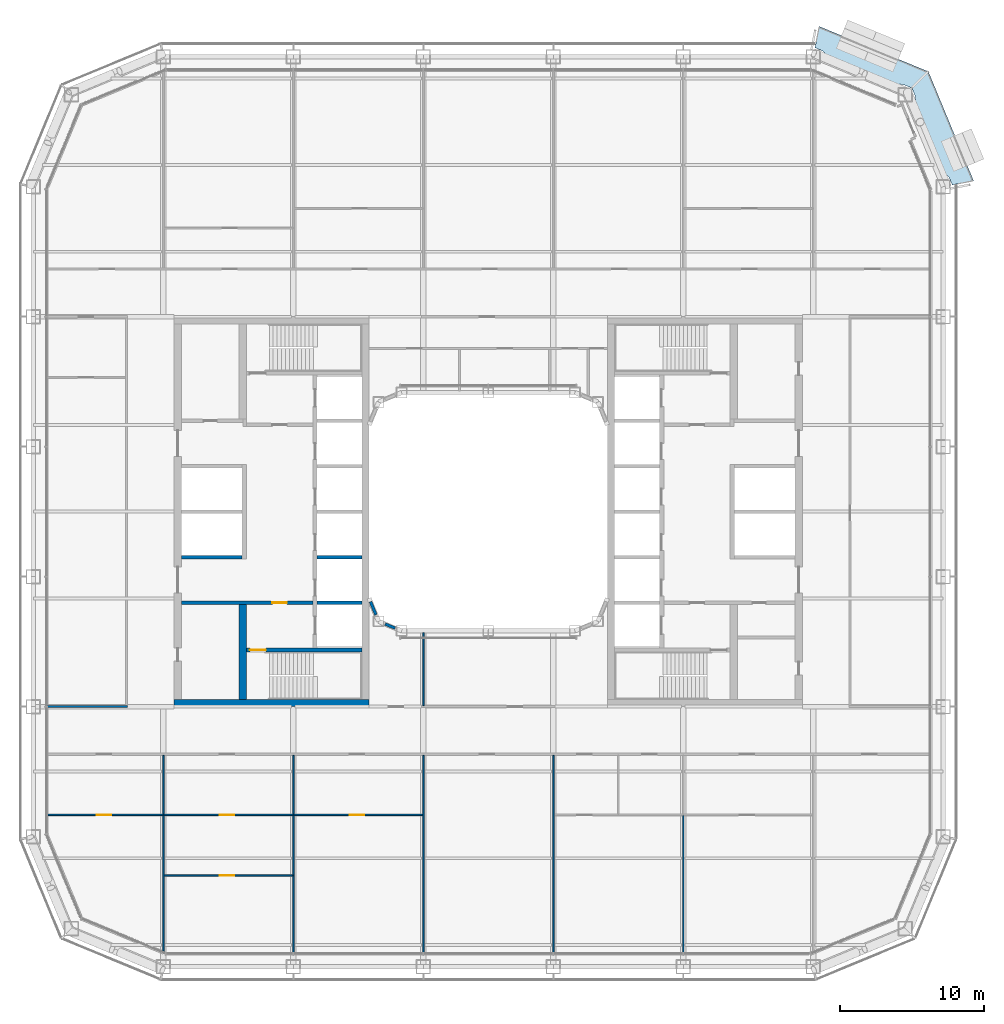
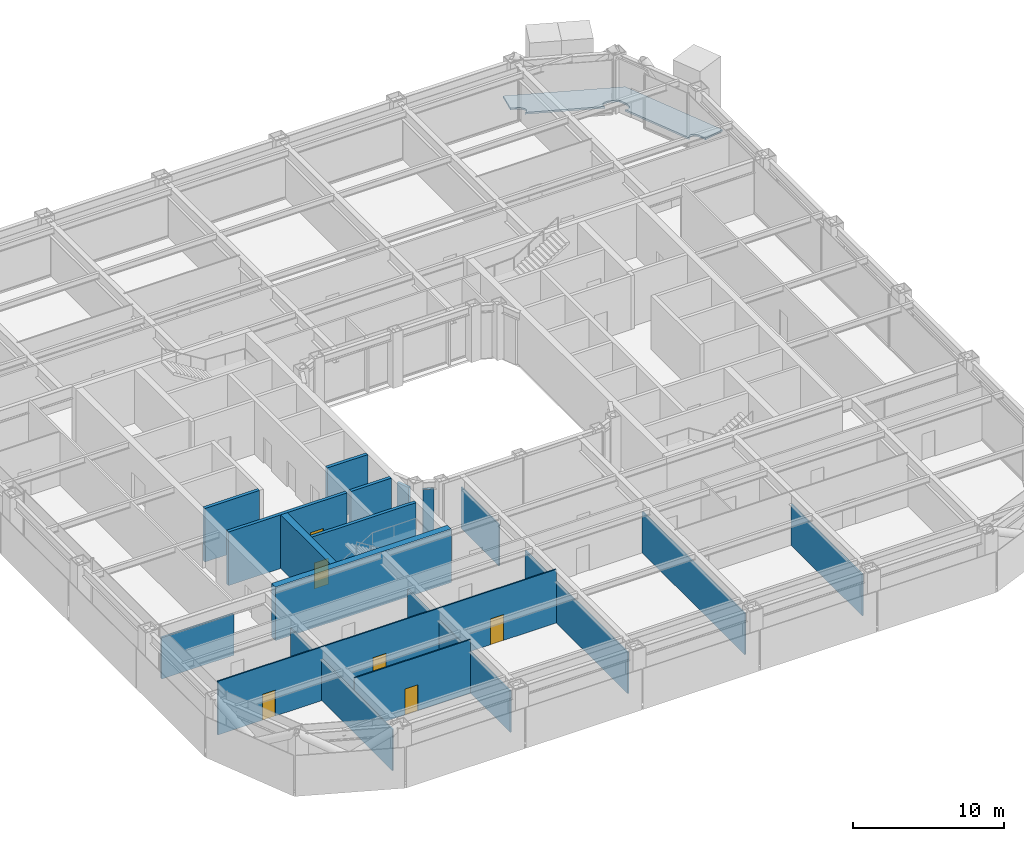
# One storey, part 12 of 30: 20 walls, 6 doors, 1 slab, 6 openings.
"""IFC4 building model written with IfcOpenShell, lengths in metres."""

from ifc_helpers import new_model, si_unit, direction, frame, frame_2d, origin, place, context, subcontext, project, spatial, polyline, rectangle, outline, extrude, material, layer, layer_set, type_object, element, fill, save


model = new_model("IFC4")

# Units and contexts
model_context = context("Model", 3, precision=1e-05, world=origin(), true_north=direction((0.0, 1.0)))
body_context = subcontext(model_context, "Body", "Model", "MODEL_VIEW")
ifc_project = project(units=[si_unit("LENGTHUNIT", "METRE"), si_unit("AREAUNIT", "SQUARE_METRE"), si_unit("VOLUMEUNIT", "CUBIC_METRE"), si_unit("PLANEANGLEUNIT", "RADIAN"), si_unit("MASSUNIT", "GRAM", prefix="KILO")], contexts=[model_context])

# Site, building, storey
site_placement = place(None, origin())
site = spatial("IfcSite", under=ifc_project, at=site_placement, CompositionType="ELEMENT")
building_placement = place(site_placement, origin())
building = spatial("IfcBuilding", under=site, at=building_placement, Name="Siwar Civic Tower", CompositionType="ELEMENT")
storey_placement = place(building_placement, frame((0.0, 0.0, 80.699951171875)))
storey = spatial("IfcBuildingStorey", under=building, at=storey_placement, Name="L17", CompositionType="ELEMENT", Elevation=80.699951171875)

# Slab
ifc_material_1 = material(Name="Concrete C40/50", Category="concrete")
ifc_layer_1 = layer(ifc_material_1, 0.14990234375)
ifc_layer_set_1 = layer_set([ifc_layer_1], Name="Concrete C40/50")
slab_type = type_object("IfcSlabType", Name="ENV-BALCONY DECK 150", PredefinedType="FLOOR", material=ifc_layer_set_1)
slab_placement = place(storey_placement, frame((0.0, 0.0, -0.1494140625)))
element("IfcSlab", 1, at=slab_placement, inside=storey, type_object=slab_type, Name="Tree balcony deck NE", PredefinedType="FLOOR", context=body_context, shape_type="SweptSolid", body=[
    extrude(outline(polyline([(29.38916015625, 29.19189453125), (29.3916015625, 29.186767578125), (29.3916015625, 29.186767578125), (29.39794921875, 29.17138671875), (29.40771484375, 29.14794921875), (29.498291015625, 28.9306640625), (29.514404296875, 28.891845703125), (29.517578125, 28.884033203125), (29.5185546875, 28.881591796875), (29.5439453125, 28.814208984375), (29.545654296875, 28.80908203125), (29.56591796875, 28.739990234375), (29.567138671875, 28.73486328125), (29.58251953125, 28.66455078125), (29.583984375, 28.6572265625), (29.591064453125, 28.59375), (29.59130859375, 28.59130859375), (29.59716796875, 28.51953125), (29.597412109375, 28.51318359375), (29.59716796875, 28.506591796875), (29.592041015625, 28.45068359375), (29.59130859375, 28.445068359375), (29.58203125, 28.389404296875), (29.5810546875, 28.38427734375), (29.56787109375, 28.32958984375), (29.566162109375, 28.3232421875), (29.56396484375, 28.3173828125), (29.544189453125, 28.271484375), (29.540771484375, 28.264404296875), (29.53662109375, 28.2578125), (29.5107421875, 28.221435546875), (29.507080078125, 28.216552734375), (29.502685546875, 28.2119140625), (29.498291015625, 28.20751953125), (29.467041015625, 28.180908203125), (29.46142578125, 28.1767578125), (29.45556640625, 28.173095703125), (29.449462890625, 28.169921875), (29.413330078125, 28.1533203125), (29.408447265625, 28.151123046875), (29.37109375, 28.13720703125), (29.364501953125, 28.135009765625), (29.35791015625, 28.133544921875), (29.35107421875, 28.132568359375), (29.31005859375, 28.129150390625), (29.3037109375, 28.12890625), (29.297607421875, 28.129150390625), (29.29150390625, 28.1298828125), (29.247314453125, 28.137451171875), (29.23974609375, 28.13916015625), (29.232177734375, 28.1416015625), (29.185791015625, 28.159912109375), (29.179931640625, 28.16259765625), (29.17431640625, 28.16552734375), (29.14599609375, 28.182861328125), (31.20556640625, 23.210693359375), (31.217529296875, 23.260986328125), (31.21923828125, 23.26708984375), (31.2216796875, 23.273193359375), (31.2412109375, 23.31884765625), (31.244873046875, 23.325927734375), (31.2490234375, 23.332763671875), (31.274658203125, 23.369140625), (31.278564453125, 23.3740234375), (31.28271484375, 23.378662109375), (31.287353515625, 23.3828125), (31.318603515625, 23.40966796875), (31.323974609375, 23.413818359375), (31.329833984375, 23.41748046875), (31.3359375, 23.420654296875), (31.3720703125, 23.437255859375), (31.376953125, 23.439453125), (31.414306640625, 23.453369140625), (31.4208984375, 23.45556640625), (31.427734375, 23.45703125), (31.4345703125, 23.4580078125), (31.4755859375, 23.46142578125), (31.481689453125, 23.461669921875), (31.488037109375, 23.461181640625), (31.494140625, 23.46044921875), (31.5380859375, 23.453125), (31.5458984375, 23.451416015625), (31.55322265625, 23.448974609375), (31.599609375, 23.4306640625), (31.60546875, 23.427978515625), (31.611083984375, 23.4248046875), (31.659423828125, 23.3955078125), (31.66357421875, 23.392578125), (31.709716796875, 23.360107421875), (31.717529296875, 23.353515625), (31.764404296875, 23.309814453125), (31.76806640625, 23.30615234375), (31.8115234375, 23.25927734375), (31.815185546875, 23.255126953125), (31.85498046875, 23.205322265625), (31.859619140625, 23.198974609375), (31.898681640625, 23.138671875), (31.9013671875, 23.134033203125), (31.93603515625, 23.07080078125), (31.9384765625, 23.06591796875), (31.968505859375, 23.0), (32.0, 23.0), (32.0, 22.92529296875), (32.0927734375, 22.70263671875), (32.095947265625, 22.69482421875), (32.095947265625, 22.69482421875), (32.098388671875, 22.688232421875), (32.1064453125, 22.662109375), (32.108154296875, 22.6552734375), (32.109375, 22.648193359375), (32.1123046875, 22.621826171875), (33.60009765625, 22.917724609375), (30.47119140625, 30.47119140625), (22.917724609375, 33.60009765625), (22.62109375, 32.1083984375), (22.6259765625, 32.1083984375), (22.6484375, 32.107421875), (22.649658203125, 32.107421875), (22.6513671875, 32.107421875), (22.655029296875, 32.10693359375), (22.656982421875, 32.106689453125), (22.65771484375, 32.1064453125), (22.658447265625, 32.1064453125), (22.66552734375, 32.104736328125), (22.686279296875, 32.098876953125), (22.69482421875, 32.095947265625), (22.70263671875, 32.0927734375), (22.719970703125, 32.085693359375), (22.72607421875, 32.0830078125), (22.749267578125, 32.0732421875), (22.7587890625, 32.0693359375), (22.92529296875, 32.0), (23.0, 32.0), (23.0, 31.968505859375), (23.06591796875, 31.9384765625), (23.07080078125, 31.93603515625), (23.134033203125, 31.9013671875), (23.138671875, 31.898681640625), (23.198974609375, 31.859619140625), (23.205322265625, 31.85498046875), (23.255126953125, 31.815185546875), (23.25927734375, 31.8115234375), (23.30615234375, 31.76806640625), (23.309814453125, 31.764404296875), (23.353515625, 31.717529296875), (23.360107421875, 31.709716796875), (23.392578125, 31.66357421875), (23.3955078125, 31.659423828125), (23.4248046875, 31.611083984375), (23.427978515625, 31.60546875), (23.4306640625, 31.599609375), (23.448974609375, 31.55322265625), (23.451416015625, 31.5458984375), (23.453125, 31.5380859375), (23.46044921875, 31.494140625), (23.461181640625, 31.488037109375), (23.461669921875, 31.481689453125), (23.46142578125, 31.4755859375), (23.4580078125, 31.4345703125), (23.45703125, 31.427734375), (23.45556640625, 31.4208984375), (23.453369140625, 31.414306640625), (23.439453125, 31.376953125), (23.437255859375, 31.3720703125), (23.420654296875, 31.3359375), (23.41748046875, 31.329833984375), (23.413818359375, 31.323974609375), (23.40966796875, 31.318603515625), (23.3828125, 31.287353515625), (23.378662109375, 31.28271484375), (23.3740234375, 31.278564453125), (23.369140625, 31.274658203125), (23.332763671875, 31.2490234375), (23.325927734375, 31.244873046875), (23.31884765625, 31.2412109375), (23.273193359375, 31.2216796875), (23.26708984375, 31.21923828125), (23.260986328125, 31.217529296875), (23.210693359375, 31.20556640625), (28.182861328125, 29.14599609375), (28.16552734375, 29.17431640625), (28.16259765625, 29.179931640625), (28.159912109375, 29.185791015625), (28.1416015625, 29.232177734375), (28.13916015625, 29.23974609375), (28.137451171875, 29.247314453125), (28.1298828125, 29.29150390625), (28.129150390625, 29.297607421875), (28.12890625, 29.3037109375), (28.129150390625, 29.31005859375), (28.132568359375, 29.35107421875), (28.133544921875, 29.35791015625), (28.135009765625, 29.364501953125), (28.13720703125, 29.37109375), (28.151123046875, 29.408447265625), (28.1533203125, 29.413330078125), (28.169921875, 29.449462890625), (28.173095703125, 29.45556640625), (28.1767578125, 29.46142578125), (28.180908203125, 29.467041015625), (28.20751953125, 29.498291015625), (28.2119140625, 29.502685546875), (28.216552734375, 29.507080078125), (28.221435546875, 29.5107421875), (28.2578125, 29.53662109375), (28.264404296875, 29.540771484375), (28.271484375, 29.544189453125), (28.3173828125, 29.56396484375), (28.3232421875, 29.566162109375), (28.32958984375, 29.56787109375), (28.38427734375, 29.5810546875), (28.389404296875, 29.58203125), (28.445068359375, 29.59130859375), (28.45068359375, 29.592041015625), (28.506591796875, 29.59716796875), (28.51318359375, 29.597412109375), (28.51953125, 29.59716796875), (28.59130859375, 29.59130859375), (28.59375, 29.591064453125), (28.6572265625, 29.583984375), (28.66455078125, 29.58251953125), (28.73486328125, 29.567138671875), (28.739990234375, 29.56591796875), (28.80908203125, 29.545654296875), (28.814208984375, 29.5439453125), (28.881591796875, 29.5185546875), (28.884033203125, 29.517578125), (28.891845703125, 29.514404296875), (28.9306640625, 29.498291015625), (29.107666015625, 29.424560546875), (29.116943359375, 29.420654296875), (29.14794921875, 29.40771484375), (29.17138671875, 29.39794921875), (29.186767578125, 29.3916015625), (29.195068359375, 29.387451171875), (29.2138671875, 29.376953125), (29.219970703125, 29.373046875), (29.220703125, 29.37255859375), (29.22119140625, 29.3720703125), (29.22265625, 29.370849609375), (29.2255859375, 29.36865234375), (29.226806640625, 29.367431640625), (29.227783203125, 29.36669921875), (29.230712890625, 29.364013671875), (29.364013671875, 29.364013671875), (29.364013671875, 29.238037109375), (29.367431640625, 29.233154296875), (29.373046875, 29.2236328125), (29.38916015625, 29.19189453125)])), origin(), (0.0, 0.0, 1.0), 0.1494140625),
])

# Wall, opening, door
ifc_material_2 = material(Name="Concrete C60/75", Category="concrete")
ifc_layer_2 = layer(ifc_material_2, 0.25)
ifc_layer_set_2 = layer_set([ifc_layer_2], Name="Concrete C60/75")
wall_type_1 = type_object("IfcWallType", Name="CORE-WALL-RC250", PredefinedType="SHEAR", material=ifc_layer_set_2)
wall_1_placement = place(storey_placement, frame((-12.14990234375, -6.300048828125, 0.0), z_axis=(0.0, 0.0, 1.0), x_axis=(-1.0, 0.0, 0.0)))
wall_1 = element("IfcWall", 2, at=wall_1_placement, inside=storey, type_object=wall_type_1, Name="Core wall W", PredefinedType="SHEAR", context=body_context, shape_type="SweptSolid", body=[
    extrude(rectangle(XDim=9.10009765625, YDim=0.25, at=frame_2d((4.550048828125, 0.0))), origin(), (0.0, 0.0, 1.0), 4.35009765625),
])
opening_1_placement = place(wall_1_placement, frame((1.800048828125, 0.0, 0.0)))
opening_1 = element("IfcOpeningElement", 3, at=opening_1_placement, cuts=wall_1, Name="Opening L17-CW02", PredefinedType="OPENING", context=body_context, shape_type="SweptSolid", body=[
    extrude(rectangle(XDim=1.0, YDim=2.10009765625, at=frame_2d((0.5, 1.050048828125))), frame((0.0, 0.135009765625, 0.0), z_axis=(0.0, -1.0, 0.0), x_axis=(1.0, 0.0, 0.0)), (0.0, 0.0, 1.0), 0.27001953125),
])
ifc_material_3 = material(Name="Steel door leaf", Category="steel")
door_type_1 = type_object("IfcDoorType", Name="CORE-DOOR-FD30S", OperationType="SINGLE_SWING_LEFT", PredefinedType="DOOR", material=ifc_material_3)
door_1_placement = place(opening_1_placement, origin())
door_1 = element("IfcDoor", 4, at=door_1_placement, inside=storey, type_object=door_type_1, Name="Service lobby door L17-CW02", OperationType="SINGLE_SWING_RIGHT", OverallHeight=2.10009765625, OverallWidth=1.0, PredefinedType="DOOR", context=body_context, shape_type="SweptSolid", body=[
    extrude(rectangle(XDim=1.0, YDim=2.10009765625, at=frame_2d((0.5, 1.050048828125))), frame((0.0, 0.02490234375, 0.0), z_axis=(0.0, -1.0, 0.0), x_axis=(1.0, 0.0, 0.0)), (0.0, 0.0, 1.0), 0.050048828125),
])
fill(opening_1, door_1)

# Walls
wall_2_placement = place(storey_placement, frame((-17.050048828125, -3.14990234375, 0.0), z_axis=(0.0, 0.0, 1.0), x_axis=(-1.0, 0.0, 0.0)))
element("IfcWall", 5, at=wall_2_placement, inside=storey, type_object=wall_type_1, Name="Core wall W", PredefinedType="SHEAR", context=body_context, shape_type="SweptSolid", body=[
    extrude(rectangle(XDim=4.199951171875, YDim=0.25, at=frame_2d((2.10009765625, 0.0))), origin(), (0.0, 0.0, 1.0), 4.35009765625),
])
for number, where, z_axis, x_axis, name in (
    (6, (-8.75, -3.14990234375, 0.0), (0.0, 0.0, 1.0), (-1.0, 0.0, 0.0), "Core wall W"),
    (7, (-8.75, -6.300048828125, 0.0), (0.0, 0.0, 1.0), (-1.0, 0.0, 0.0), "Core wall W"),
):
    element("IfcWall", number, at=place(storey_placement, frame(where, z_axis=z_axis, x_axis=x_axis)), inside=storey, type_object=wall_type_1, Name=name, PredefinedType="SHEAR", context=body_context, shape_type="SweptSolid", body=[
        extrude(rectangle(XDim=3.10009765625, YDim=0.25, at=frame_2d((1.550048828125, 0.0))), origin(), (0.0, 0.0, 1.0), 4.35009765625),
    ])

# Wall, opening, door
wall_3_placement = place(storey_placement, frame((-8.75, -9.574951171875, 0.0), z_axis=(0.0, 0.0, 1.0), x_axis=(-1.0, 0.0, 0.0)))
wall_3 = element("IfcWall", 8, at=wall_3_placement, inside=storey, type_object=wall_type_1, Name="Core wall W", PredefinedType="SHEAR", context=body_context, shape_type="SweptSolid", body=[
    extrude(rectangle(XDim=8.0, YDim=0.25, at=frame_2d((4.0, 0.0))), origin(), (0.0, 0.0, 1.0), 4.35009765625),
])
opening_2_placement = place(wall_3_placement, frame((6.64990234375, 0.0, 0.0)))
opening_2 = element("IfcOpeningElement", 9, at=opening_2_placement, cuts=wall_3, Name="Opening L17-CW04", PredefinedType="OPENING", context=body_context, shape_type="SweptSolid", body=[
    extrude(rectangle(XDim=1.10009765625, YDim=2.10009765625, at=frame_2d((0.550048828125, 1.050048828125))), frame((0.0, 0.135009765625, 0.0), z_axis=(0.0, -1.0, 0.0), x_axis=(1.0, 0.0, 0.0)), (0.0, 0.0, 1.0), 0.27001953125),
])
ifc_material_4 = material(Name="Steel door leaf", Category="steel")
door_type_2 = type_object("IfcDoorType", Name="CORE-DOOR-FD60S", OperationType="SINGLE_SWING_LEFT", PredefinedType="DOOR", material=ifc_material_4)
door_2_placement = place(opening_2_placement, origin())
door_2 = element("IfcDoor", 10, at=door_2_placement, inside=storey, type_object=door_type_2, Name="Stair door L17-CW04", OperationType="SINGLE_SWING_LEFT", OverallHeight=2.10009765625, OverallWidth=1.10009765625, PredefinedType="DOOR", context=body_context, shape_type="SweptSolid", body=[
    extrude(rectangle(XDim=1.10009765625, YDim=2.10009765625, at=frame_2d((0.550048828125, 1.050048828125))), frame((0.0, 0.02490234375, 0.0), z_axis=(0.0, -1.0, 0.0), x_axis=(1.0, 0.0, 0.0)), (0.0, 0.0, 1.0), 0.050048828125),
])
fill(opening_2, door_2)

# Walls
ifc_material_5 = material(Name="Concrete C60/75", Category="concrete")
ifc_layer_3 = layer(ifc_material_5, 0.5)
ifc_layer_set_3 = layer_set([ifc_layer_3], Name="Concrete C60/75")
wall_type_2 = type_object("IfcWallType", Name="CORE-WALL-RC500", PredefinedType="SHEAR", material=ifc_layer_set_3)
wall_4_placement = place(storey_placement, frame((-17.0, -13.0, 0.0), z_axis=(0.0, 0.0, 1.0), x_axis=(0.0, 1.0, 0.0)))
element("IfcWall", 11, at=wall_4_placement, inside=storey, type_object=wall_type_2, Name="Core wall W", PredefinedType="SHEAR", context=body_context, shape_type="SweptSolid", body=[
    extrude(rectangle(XDim=6.574951171875, YDim=0.5, at=frame_2d((3.28759765625, 0.0))), origin(), (0.0, 0.0, 1.0), 4.35009765625),
])
wall_5_placement = place(storey_placement, frame((-8.25, -13.25, 0.0), z_axis=(0.0, 0.0, 1.0), x_axis=(-1.0, 0.0, 0.0)))
element("IfcWall", 12, at=wall_5_placement, inside=storey, type_object=wall_type_2, Name="Core wall W", PredefinedType="SHEAR", context=body_context, shape_type="SweptSolid", body=[
    extrude(rectangle(XDim=13.5, YDim=0.5, at=frame_2d((6.75, 0.0))), origin(), (0.0, 0.0, 1.0), 4.35009765625),
])
ifc_material_6 = material(Name="Gypsum board on steel studs", Category="steel")
ifc_layer_4 = layer(ifc_material_6, 0.14990234375)
ifc_layer_set_4 = layer_set([ifc_layer_4], Name="Gypsum board on steel studs")
wall_type_3 = type_object("IfcWallType", Name="CORRIDOR PARTITION 150 EI 30", PredefinedType="PARTITIONING", material=ifc_layer_set_4)
wall_6_placement = place(storey_placement, frame((-30.510009765625, -13.5, 0.0), z_axis=(0.0, 0.0, 1.0), x_axis=(1.0, 0.0, 0.0)))
element("IfcWall", 13, at=wall_6_placement, inside=storey, type_object=wall_type_3, Name="L17/wall/P05", PredefinedType="PARTITIONING", context=body_context, shape_type="SweptSolid", body=[
    extrude(rectangle(XDim=5.534912109375, YDim=0.14990234375, at=frame_2d((2.767578125, 0.0))), origin(), (0.0, 0.0, 1.0), 3.35009765625),
])
ifc_material_7 = material(Name="Aluminium clad insulated panel", Category="aluminium")
ifc_layer_5 = layer(ifc_material_7, 0.199951171875)
ifc_layer_set_5 = layer_set([ifc_layer_5], Name="Aluminium clad insulated panel")
wall_type_4 = type_object("IfcWallType", Name="ENV-WALL-WELL", PredefinedType="STANDARD", material=ifc_layer_set_5)
wall_7_placement = place(storey_placement, frame((-8.154296875, -6.23095703125, 0.0), z_axis=(0.0, 0.0, 1.0), x_axis=(0.382549378284, -0.923935048136, 0.0)))
element("IfcWall", 14, at=wall_7_placement, inside=storey, type_object=wall_type_4, Name="Light well corner wall SW1", PredefinedType="STANDARD", context=body_context, shape_type="SweptSolid", body=[
    extrude(rectangle(XDim=0.982177734375, YDim=0.199951171875, at=frame_2d((0.4912109375, 0.0))), origin(), (0.0, 0.0, 1.0), 3.72998046875),
])
wall_8_placement = place(storey_placement, frame((-7.138427734375, -7.778564453125, 0.0), z_axis=(0.0, 0.0, 1.0), x_axis=(0.923940677943, -0.382535780864, 0.0)))
element("IfcWall", 15, at=wall_8_placement, inside=storey, type_object=wall_type_4, Name="Light well corner wall SW2", PredefinedType="STANDARD", context=body_context, shape_type="SweptSolid", body=[
    extrude(rectangle(XDim=0.7421875, YDim=0.199951171875, at=frame_2d((0.37109375, 0.0))), origin(), (0.0, 0.0, 1.0), 3.72998046875),
])

# Wall, opening, door
ifc_material_8 = material(Name="Gypsum board on steel studs", Category="steel")
ifc_layer_6 = layer(ifc_material_8, 0.10009765625)
ifc_layer_set_6 = layer_set([ifc_layer_6], Name="Gypsum board on steel studs")
wall_type_5 = type_object("IfcWallType", Name="PARTITION 100 GYPSUM", PredefinedType="PARTITIONING", material=ifc_layer_set_6)
wall_9_placement = place(storey_placement, frame((-22.449951171875, -25.199951171875, 0.0), z_axis=(0.0, 0.0, 1.0), x_axis=(1.0, 0.0, 0.0)))
wall_9 = element("IfcWall", 16, at=wall_9_placement, inside=storey, type_object=wall_type_5, Name="L17/wall/P01", PredefinedType="PARTITIONING", context=body_context, shape_type="SweptSolid", body=[
    extrude(rectangle(XDim=8.89990234375, YDim=0.10009765625, at=frame_2d((4.449951171875, 0.0))), origin(), (0.0, 0.0, 1.0), 4.35009765625),
])
opening_3_placement = place(wall_9_placement, frame((3.85009765625, 0.0, 0.0)))
opening_3 = element("IfcOpeningElement", 17, at=opening_3_placement, cuts=wall_9, Name="Opening D2", PredefinedType="OPENING", context=body_context, shape_type="SweptSolid", body=[
    extrude(rectangle(XDim=1.0, YDim=2.10009765625, at=frame_2d((0.5, 1.050048828125))), frame((0.0, 0.06005859375, 0.0), z_axis=(0.0, -1.0, 0.0), x_axis=(1.0, 0.0, 0.0)), (0.0, 0.0, 1.0), 0.1201171875),
])
ifc_material_9 = material(Name="Timber, painted", Category="wood")
door_type_3 = type_object("IfcDoorType", Name="DOOR 1000 X 2100", OperationType="SINGLE_SWING_LEFT", PredefinedType="DOOR", material=ifc_material_9)
door_3_placement = place(opening_3_placement, origin())
door_3 = element("IfcDoor", 18, at=door_3_placement, inside=storey, type_object=door_type_3, Name="L17-D11", OperationType="SINGLE_SWING_LEFT", OverallHeight=2.10009765625, OverallWidth=1.0, PredefinedType="DOOR", context=body_context, shape_type="SweptSolid", body=[
    extrude(rectangle(XDim=1.0, YDim=2.10009765625, at=frame_2d((0.5, 1.050048828125))), frame((0.0, 0.02490234375, 0.0), z_axis=(0.0, -1.0, 0.0), x_axis=(1.0, 0.0, 0.0)), (0.0, 0.0, 1.0), 0.050048828125),
])
fill(opening_3, door_3)

# Wall, openings, doors
wall_10_placement = place(storey_placement, frame((-30.510009765625, -21.0, 0.0), z_axis=(0.0, 0.0, 1.0), x_axis=(1.0, 0.0, 0.0)))
wall_10 = element("IfcWall", 19, at=wall_10_placement, inside=storey, type_object=wall_type_5, Name="L17/wall/P02", PredefinedType="PARTITIONING", context=body_context, shape_type="SweptSolid", body=[
    extrude(rectangle(XDim=25.9599609375, YDim=0.10009765625, at=frame_2d((12.97998046875, 0.0))), origin(), (0.0, 0.0, 1.0), 4.35009765625),
])
opening_4_placement = place(wall_10_placement, frame((11.909912109375, 0.0, 0.0)))
opening_4 = element("IfcOpeningElement", 20, at=opening_4_placement, cuts=wall_10, Name="Opening D2", PredefinedType="OPENING", context=body_context, shape_type="SweptSolid", body=[
    extrude(rectangle(XDim=1.0, YDim=2.10009765625, at=frame_2d((0.5, 1.050048828125))), frame((0.0, 0.06005859375, 0.0), z_axis=(0.0, -1.0, 0.0), x_axis=(1.0, 0.0, 0.0)), (0.0, 0.0, 1.0), 0.1201171875),
])
opening_5_placement = place(wall_10_placement, frame((20.909912109375, 0.0, 0.0)))
opening_5 = element("IfcOpeningElement", 21, at=opening_5_placement, cuts=wall_10, Name="Opening D2", PredefinedType="OPENING", context=body_context, shape_type="SweptSolid", body=[
    extrude(rectangle(XDim=1.0, YDim=2.10009765625, at=frame_2d((0.5, 1.050048828125))), frame((0.0, 0.06005859375, 0.0), z_axis=(0.0, -1.0, 0.0), x_axis=(1.0, 0.0, 0.0)), (0.0, 0.0, 1.0), 0.1201171875),
])
opening_6_placement = place(wall_10_placement, frame((3.39990234375, 0.0, 0.0)))
opening_6 = element("IfcOpeningElement", 22, at=opening_6_placement, cuts=wall_10, Name="Opening D2", PredefinedType="OPENING", context=body_context, shape_type="SweptSolid", body=[
    extrude(rectangle(XDim=1.0, YDim=2.10009765625, at=frame_2d((0.5, 1.050048828125))), frame((0.0, 0.06005859375, 0.0), z_axis=(0.0, -1.0, 0.0), x_axis=(1.0, 0.0, 0.0)), (0.0, 0.0, 1.0), 0.1201171875),
])
door_4_placement = place(opening_4_placement, origin())
door_4 = element("IfcDoor", 23, at=door_4_placement, inside=storey, type_object=door_type_3, Name="L17-D10", OperationType="SINGLE_SWING_RIGHT", OverallHeight=2.10009765625, OverallWidth=1.0, PredefinedType="DOOR", context=body_context, shape_type="SweptSolid", body=[
    extrude(rectangle(XDim=1.0, YDim=2.10009765625, at=frame_2d((0.5, 1.050048828125))), frame((0.0, 0.02490234375, 0.0), z_axis=(0.0, -1.0, 0.0), x_axis=(1.0, 0.0, 0.0)), (0.0, 0.0, 1.0), 0.050048828125),
])
fill(opening_4, door_4)
door_5_placement = place(opening_5_placement, origin())
door_5 = element("IfcDoor", 24, at=door_5_placement, inside=storey, type_object=door_type_3, Name="L17-D13", OperationType="SINGLE_SWING_LEFT", OverallHeight=2.10009765625, OverallWidth=1.0, PredefinedType="DOOR", context=body_context, shape_type="SweptSolid", body=[
    extrude(rectangle(XDim=1.0, YDim=2.10009765625, at=frame_2d((0.5, 1.050048828125))), frame((0.0, 0.02490234375, 0.0), z_axis=(0.0, -1.0, 0.0), x_axis=(1.0, 0.0, 0.0)), (0.0, 0.0, 1.0), 0.050048828125),
])
fill(opening_5, door_5)
door_6_placement = place(opening_6_placement, origin())
door_6 = element("IfcDoor", 25, at=door_6_placement, inside=storey, type_object=door_type_3, Name="L17-D23", OperationType="SINGLE_SWING_LEFT", OverallHeight=2.10009765625, OverallWidth=1.0, PredefinedType="DOOR", context=body_context, shape_type="SweptSolid", body=[
    extrude(rectangle(XDim=1.0, YDim=2.10009765625, at=frame_2d((0.5, 1.050048828125))), frame((0.0, 0.02490234375, 0.0), z_axis=(0.0, -1.0, 0.0), x_axis=(1.0, 0.0, 0.0)), (0.0, 0.0, 1.0), 0.050048828125),
])
fill(opening_6, door_6)

# Walls
wall_11_placement = place(storey_placement, frame((-22.5, -30.427978515625, 0.0), z_axis=(0.0, 0.0, 1.0), x_axis=(0.0, 1.0, 0.0)))
element("IfcWall", 26, at=wall_11_placement, inside=storey, type_object=wall_type_5, Name="L17/wall/P19", PredefinedType="PARTITIONING", context=body_context, shape_type="SweptSolid", body=[
    extrude(rectangle(XDim=9.3779296875, YDim=0.10009765625, at=frame_2d((4.68896484375, 0.0))), origin(), (0.0, 0.0, 1.0), 3.35009765625),
])
wall_12_placement = place(storey_placement, frame((-22.5, -20.949951171875, 0.0), z_axis=(0.0, 0.0, 1.0), x_axis=(0.0, 1.0, 0.0)))
element("IfcWall", 27, at=wall_12_placement, inside=storey, type_object=wall_type_5, Name="L17/wall/P20", PredefinedType="PARTITIONING", context=body_context, shape_type="SweptSolid", body=[
    extrude(rectangle(XDim=4.074951171875, YDim=0.10009765625, at=frame_2d((2.03759765625, 0.0))), origin(), (0.0, 0.0, 1.0), 3.35009765625),
])
wall_13_placement = place(storey_placement, frame((-13.5, -30.510009765625, 0.0), z_axis=(0.0, 0.0, 1.0), x_axis=(0.0, 1.0, 0.0)))
element("IfcWall", 28, at=wall_13_placement, inside=storey, type_object=wall_type_5, Name="L17/wall/P22", PredefinedType="PARTITIONING", context=body_context, shape_type="SweptSolid", body=[
    extrude(rectangle(XDim=9.4599609375, YDim=0.10009765625, at=frame_2d((4.72998046875, 0.0))), origin(), (0.0, 0.0, 1.0), 3.35009765625),
])
wall_14_placement = place(storey_placement, frame((-13.5, -20.949951171875, 0.0), z_axis=(0.0, 0.0, 1.0), x_axis=(0.0, 1.0, 0.0)))
element("IfcWall", 29, at=wall_14_placement, inside=storey, type_object=wall_type_5, Name="L17/wall/P23", PredefinedType="PARTITIONING", context=body_context, shape_type="SweptSolid", body=[
    extrude(rectangle(XDim=4.074951171875, YDim=0.10009765625, at=frame_2d((2.03759765625, 0.0))), origin(), (0.0, 0.0, 1.0), 3.35009765625),
])
wall_15_placement = place(storey_placement, frame((-4.5, -30.510009765625, 0.0), z_axis=(0.0, 0.0, 1.0), x_axis=(0.0, 1.0, 0.0)))
element("IfcWall", 30, at=wall_15_placement, inside=storey, type_object=wall_type_5, Name="L17/wall/P25", PredefinedType="PARTITIONING", context=body_context, shape_type="SweptSolid", body=[
    extrude(rectangle(XDim=13.635009765625, YDim=0.10009765625, at=frame_2d((6.8173828125, 0.0))), origin(), (0.0, 0.0, 1.0), 3.35009765625),
])
wall_16_placement = place(storey_placement, frame((-4.5, -13.425048828125, 0.0), z_axis=(0.0, 0.0, 1.0), x_axis=(0.0, 1.0, 0.0)))
element("IfcWall", 31, at=wall_16_placement, inside=storey, type_object=wall_type_5, Name="L17/wall/P26", PredefinedType="PARTITIONING", context=body_context, shape_type="SweptSolid", body=[
    extrude(rectangle(XDim=5.054931640625, YDim=0.10009765625, at=frame_2d((2.52734375, 0.0))), origin(), (0.0, 0.0, 1.0), 3.35009765625),
])
wall_17_placement = place(storey_placement, frame((4.5, -30.510009765625, 0.0), z_axis=(0.0, 0.0, 1.0), x_axis=(0.0, 1.0, 0.0)))
element("IfcWall", 32, at=wall_17_placement, inside=storey, type_object=wall_type_5, Name="L17/wall/P30", PredefinedType="PARTITIONING", context=body_context, shape_type="SweptSolid", body=[
    extrude(rectangle(XDim=13.635009765625, YDim=0.10009765625, at=frame_2d((6.8173828125, 0.0))), origin(), (0.0, 0.0, 1.0), 3.35009765625),
])
wall_18_placement = place(storey_placement, frame((13.5, -30.510009765625, 0.0), z_axis=(0.0, 0.0, 1.0), x_axis=(0.0, 1.0, 0.0)))
element("IfcWall", 33, at=wall_18_placement, inside=storey, type_object=wall_type_5, Name="L17/wall/P34", PredefinedType="PARTITIONING", context=body_context, shape_type="SweptSolid", body=[
    extrude(rectangle(XDim=9.4599609375, YDim=0.10009765625, at=frame_2d((4.72998046875, 0.0))), origin(), (0.0, 0.0, 1.0), 3.35009765625),
])

save(model, "model.ifc")
